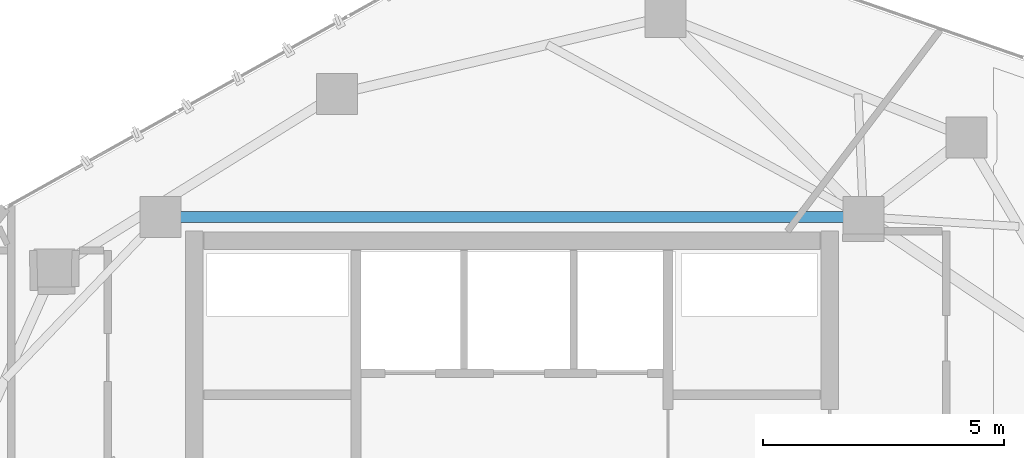
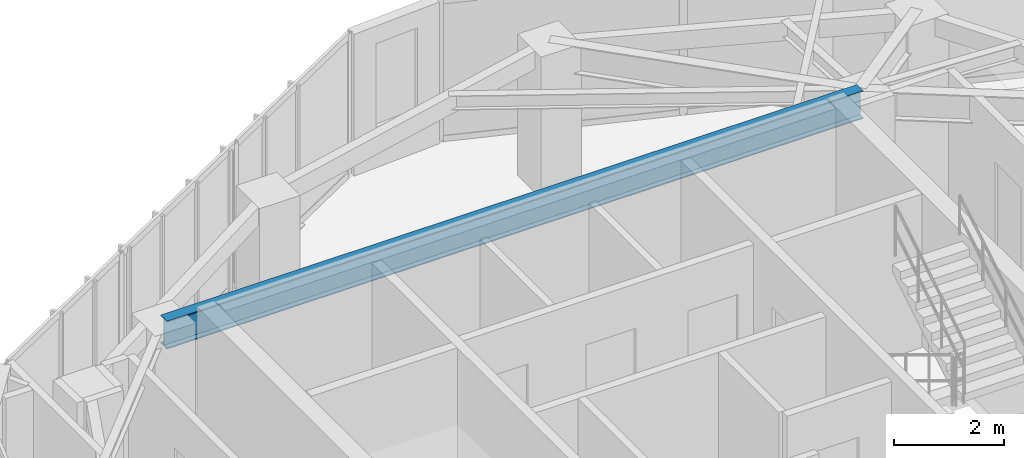
# One storey, part 10 of 20: 1 beam.
"""IFC4 building model written with IfcOpenShell, lengths in metres."""

import ifcopenshell
import ifcopenshell.guid

model = None  # the IFC model being written
_history = None  # IfcOwnerHistory: only IFC2X3 demands one
_inside = {}  # id of a spatial element -> (the spatial element, [elements in it])
_under = {}  # id of a project, library or spatial element -> (it, [spatial elements below it])
_declared = {}  # id of a project -> (the project, [libraries it declares])
_typed = {}  # id of a type object -> (the type object, [elements of that type])
_made_of = {}  # id of a material, layer set ... -> (it, [elements and type objects made of it])


def new_model(schema):
    """Start an empty IFC model of exactly this schema.

    Asked for "IFC4X3", IfcOpenShell would pick the latest addendum, in which some entities
    have other attributes; the version numbers below select the first issue.
    IFC2X3 requires an IfcOwnerHistory on every rooted entity: one is made here for all.
    """
    global model, _history
    if schema == "IFC4X3":
        model = ifcopenshell.file(schema_version=(4, 3, 0, 0))
    else:
        model = ifcopenshell.file(schema=schema)
    _inside.clear()
    _under.clear()
    _declared.clear()
    _typed.clear()
    _made_of.clear()
    _history = None
    if model.schema == "IFC2X3":
        org = make("IfcOrganization", Name="unknown")
        user = make(
            "IfcPersonAndOrganization",
            ThePerson=make("IfcPerson", FamilyName="unknown"),
            TheOrganization=org,
        )
        app = make(
            "IfcApplication",
            ApplicationDeveloper=org,
            Version="unknown",
            ApplicationFullName="unknown",
            ApplicationIdentifier="unknown",
        )
        _history = make(
            "IfcOwnerHistory",
            OwningUser=user,
            OwningApplication=app,
            ChangeAction="ADDED",
            CreationDate=0,
        )
    return model


def make(cls, **values):
    """One entity of the class cls with the attributes given. An attribute that is None is left unset."""
    return model.create_entity(
        cls, **{name: value for name, value in values.items() if value is not None}
    )


def rooted(cls, **values):
    """An entity with a GlobalId (a new one), such as an element, a storey or a relation."""
    return make(cls, GlobalId=ifcopenshell.guid.new(), OwnerHistory=_history, **values)


def si_unit(unit_type, name, prefix=None):
    """IfcSIUnit, for example si_unit("LENGTHUNIT", "METRE", prefix="MILLI")."""
    return make("IfcSIUnit", UnitType=unit_type, Prefix=prefix, Name=name)


def assignment(units):
    """IfcUnitAssignment: the units of a project."""
    return None if units is None else make("IfcUnitAssignment", Units=units)


def point(xyz):
    """IfcCartesianPoint."""
    return None if xyz is None else make("IfcCartesianPoint", Coordinates=xyz)


def direction(xyz):
    """IfcDirection."""
    return None if xyz is None else make("IfcDirection", DirectionRatios=xyz)


def frame(location, z_axis=None, x_axis=None):
    """IfcAxis2Placement3D, a coordinate frame: its origin and axes. An axis left out is left unset."""
    return make(
        "IfcAxis2Placement3D",
        Location=point(location),
        Axis=direction(z_axis),
        RefDirection=direction(x_axis),
    )


def frame_2d(location, x_axis=None):
    """IfcAxis2Placement2D, a coordinate frame in the plane: its origin and x axis."""
    return make(
        "IfcAxis2Placement2D", Location=point(location), RefDirection=direction(x_axis)
    )


def origin():
    """The frame at (0, 0, 0) with its axes left unset."""
    return frame((0.0, 0.0, 0.0))


def origin_2d():
    """The frame at (0, 0) in the plane with its x axis left unset."""
    return frame_2d((0.0, 0.0))


def place(relative_to, where):
    """IfcLocalPlacement: puts the frame where relative to a parent placement (None: the world)."""
    return make(
        "IfcLocalPlacement", PlacementRelTo=relative_to, RelativePlacement=where
    )


def context(
    kind, dimensions, precision=None, world=None, true_north=None, identifier=None
):
    """IfcGeometricRepresentationContext, for example the 3D "Model" context."""
    return make(
        "IfcGeometricRepresentationContext",
        ContextIdentifier=identifier,
        ContextType=kind,
        CoordinateSpaceDimension=dimensions,
        Precision=precision,
        WorldCoordinateSystem=world,
        TrueNorth=true_north,
    )


def subcontext(parent, identifier, kind, view, scale=None):
    """IfcGeometricRepresentationSubContext, for example "Body" below "Model"."""
    return make(
        "IfcGeometricRepresentationSubContext",
        ContextIdentifier=identifier,
        ContextType=kind,
        ParentContext=parent,
        TargetScale=scale,
        TargetView=view,
    )


def project(units=None, contexts=None):
    """IfcProject with its units and contexts."""
    return rooted(
        "IfcProject",
        Name="project",
        RepresentationContexts=contexts,
        UnitsInContext=assignment(units),
    )


def spatial(cls, under=None, at=None, **own):
    """A site, building, storey or space (cls), placed at a placement, below another one or the project."""
    s = rooted(cls, ObjectPlacement=at, **own)
    if under is not None:
        _under.setdefault(under.id(), (under, []))[1].append(s)
    return s


def profile(cls, at=None, kind="AREA", **sizes):
    """A parametric profile (cls). Its sizes go by their IFC names, for example OverallWidth=200.0."""
    return make(cls, ProfileType=kind, Position=at, **sizes)


def i_section(**sizes):
    """IfcIShapeProfileDef."""
    return profile("IfcIShapeProfileDef", **sizes)


def extrude(swept, where, along, depth):
    """IfcExtrudedAreaSolid: the profile swept, set in the frame where, extruded along a direction by depth."""
    return make(
        "IfcExtrudedAreaSolid",
        SweptArea=swept,
        Position=where,
        ExtrudedDirection=direction(along),
        Depth=depth,
    )


def shape(context_of_items, identifier, shape_type, items):
    """IfcShapeRepresentation: the items that make up one representation, for example the "Body"."""
    return make(
        "IfcShapeRepresentation",
        ContextOfItems=context_of_items,
        RepresentationIdentifier=identifier,
        RepresentationType=shape_type,
        Items=items,
    )


def material(Name=None, Category=None):
    """IfcMaterial."""
    return make("IfcMaterial", Name=Name, Category=Category)


def material_profile(
    of_material, cross_section, Name=None, Category=None, Priority=None
):
    """IfcMaterialProfile: a cross section and its material."""
    return make(
        "IfcMaterialProfile",
        Name=Name,
        Material=of_material,
        Profile=cross_section,
        Priority=Priority,
        Category=Category,
    )


def profile_set(profiles, Name=None, composite=None):
    """IfcMaterialProfileSet."""
    return make(
        "IfcMaterialProfileSet",
        Name=Name,
        MaterialProfiles=profiles,
        CompositeProfile=composite,
    )


def made_of(thing, what):
    """Note that an element or type object is made of a material, layer set ...; save() writes the relation."""
    if what is not None:
        _made_of.setdefault(what.id(), (what, []))[1].append(thing)
    return thing


def type_object(cls, material=None, **own):
    """A type object (cls), such as IfcWallType, which elements share."""
    return made_of(rooted(cls, **own), material)


def element(
    cls,
    number,
    at=None,
    inside=None,
    cuts=None,
    type_object=None,
    material=None,
    context=None,
    identifier="Body",
    shape_type=None,
    held_by="IfcProductDefinitionShape",
    body=None,
    shapes=None,
    **own,
):
    """One element of the class cls, such as IfcWall. Its Tag is "e" and its number.

    at: its placement. inside: the storey or other place that contains it. cuts: it is an
    opening in that element (IfcRelVoidsElement). A single representation is given by context,
    identifier, shape_type and body (its items); several are given by shapes. held_by: the class
    of the entity that holds the representations. save() writes the other relations.
    """
    e = rooted(cls, Tag="e%d" % number, ObjectPlacement=at, **own)
    if body is not None:
        shapes = [shape(context, identifier, shape_type, body)]
    if shapes is not None:
        e.Representation = make(held_by, Representations=shapes)
    if inside is not None:
        _inside.setdefault(inside.id(), (inside, []))[1].append(e)
    if cuts is not None:
        rooted(
            "IfcRelVoidsElement", RelatingBuildingElement=cuts, RelatedOpeningElement=e
        )
    if type_object is not None:
        _typed.setdefault(type_object.id(), (type_object, []))[1].append(e)
    return made_of(e, material)


def aggregate(whole, parts):
    """IfcRelAggregates: a whole, such as a stair, and the parts it consists of."""
    return rooted("IfcRelAggregates", RelatingObject=whole, RelatedObjects=parts)


def save(model, path):
    """Write the relations noted so far, then the file.

    IfcRelAggregates (storeys below a building ...), IfcRelContainedInSpatialStructure (elements
    in a storey), IfcRelDefinesByType, IfcRelAssociatesMaterial and IfcRelDeclares: one each for
    every whole, place, type object, material and project.
    """
    for whole, parts in _under.values():
        aggregate(whole, parts)
    for where, things in _inside.values():
        rooted(
            "IfcRelContainedInSpatialStructure",
            RelatedElements=things,
            RelatingStructure=where,
        )
    for kind, things in _typed.values():
        rooted("IfcRelDefinesByType", RelatedObjects=things, RelatingType=kind)
    for what, things in _made_of.values():
        rooted("IfcRelAssociatesMaterial", RelatedObjects=things, RelatingMaterial=what)
    for by, libraries in _declared.values():
        rooted("IfcRelDeclares", RelatingContext=by, RelatedDefinitions=libraries)
    model.write(path)


model = new_model("IFC4")

# Units and contexts
model_context = context("Model", 3, precision=1e-05, world=origin(), true_north=direction((0.0, 1.0)))
body_context = subcontext(model_context, "Body", "Model", "MODEL_VIEW")
ifc_project = project(units=[si_unit("LENGTHUNIT", "METRE"), si_unit("AREAUNIT", "SQUARE_METRE"), si_unit("VOLUMEUNIT", "CUBIC_METRE"), si_unit("PLANEANGLEUNIT", "RADIAN"), si_unit("MASSUNIT", "GRAM", prefix="KILO")], contexts=[model_context])

# Site, building, storey
site_placement = place(None, origin())
site = spatial("IfcSite", under=ifc_project, at=site_placement, CompositionType="ELEMENT")
building_placement = place(site_placement, origin())
building = spatial("IfcBuilding", under=site, at=building_placement, Name="Talar Marvaseh", CompositionType="ELEMENT")
storey_placement = place(building_placement, frame((0.0, 0.0, 257.800048828125)))
storey = spatial("IfcBuildingStorey", under=building, at=storey_placement, Name="L68", CompositionType="ELEMENT", Elevation=257.800048828125)

# Beam
ifc_material = material(Name="Steel S355", Category="steel")
ifc_material_profile = material_profile(ifc_material, i_section(OverallWidth=0.22998046875, OverallDepth=0.616943359375, WebThickness=0.01318359375, FlangeThickness=0.022216796875, at=origin_2d()), Name="W610x140")
ifc_profile_set = profile_set([ifc_material_profile], Name="Steel S355")
beam_type = type_object("IfcBeamType", Name="Zone 4 Radial Floor Girder W610x140", PredefinedType="BEAM", material=ifc_profile_set)
beam_placement = place(storey_placement, frame((18.699951171875, 36.89990234375, 2.83154296875), z_axis=(1.0, 0.0, 0.0), x_axis=(0.0, 1.0, 0.0)))
element("IfcBeam", 1, at=beam_placement, inside=storey, type_object=beam_type, Name="L68 Zone 4 Radial Floor Girder W610x140", PredefinedType="BEAM", context=body_context, shape_type="SweptSolid", body=[
    extrude(i_section(OverallWidth=0.22998046875, OverallDepth=0.616943359375, WebThickness=0.01318359375, FlangeThickness=0.022216796875, at=origin_2d()), origin(), (0.0, 0.0, 1.0), 14.60009765625),
])

save(model, "model.ifc")
